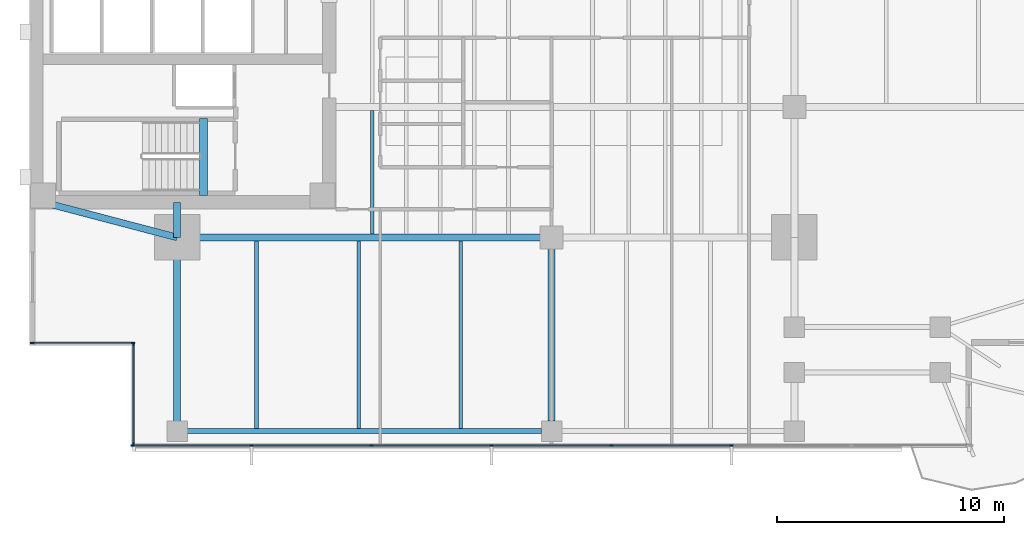
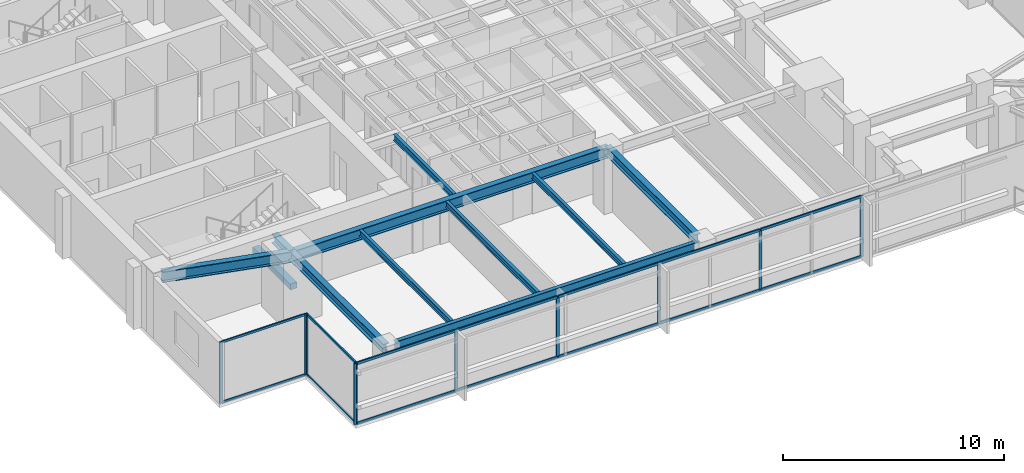
# One storey, part 2 of 14: 24 members, 11 beams, 3 elements without a shape of their own.
"""IFC4 building model written with IfcOpenShell, lengths in metres."""

from ifc_helpers import new_model, si_unit, direction, frame, origin, origin_2d, place, context, subcontext, project, spatial, rectangle, i_section, extrude, material, layer, layer_set, material_profile, profile_set, type_object, element, aggregate, save


model = new_model("IFC4")

# Units and contexts
model_context = context("Model", 3, precision=1e-05, world=origin(), true_north=direction((0.0, 1.0)))
body_context = subcontext(model_context, "Body", "Model", "MODEL_VIEW")
ifc_project = project(units=[si_unit("LENGTHUNIT", "METRE"), si_unit("AREAUNIT", "SQUARE_METRE"), si_unit("VOLUMEUNIT", "CUBIC_METRE"), si_unit("PLANEANGLEUNIT", "RADIAN"), si_unit("MASSUNIT", "GRAM", prefix="KILO")], contexts=[model_context])

# Site, building, storey
site_placement = place(None, origin())
site = spatial("IfcSite", under=ifc_project, at=site_placement, CompositionType="ELEMENT")
building_placement = place(site_placement, origin())
building = spatial("IfcBuilding", under=site, at=building_placement, Name="Kinhvarn Gate Tower", CompositionType="ELEMENT")
storey_placement = place(building_placement, frame((0.0, 0.0, 134.199951171875)))
storey = spatial("IfcBuildingStorey", under=building, at=storey_placement, Name="L35", CompositionType="ELEMENT", Elevation=134.199951171875)

# Beam
ifc_material_1 = material(Name="Concrete C50/60", Category="concrete")
ifc_material_profile_1 = material_profile(ifc_material_1, rectangle(XDim=0.340087890625, YDim=0.320068359375, at=origin_2d()), Name="RC 340x320")
ifc_profile_set_1 = profile_set([ifc_material_profile_1], Name="Concrete C50/60")
beam_type_1 = type_object("IfcBeamType", Name="BM-LND-500", PredefinedType="BEAM", material=ifc_profile_set_1)
beam_1_placement = place(storey_placement, frame((12.1650390625, 14.60009765625, -0.159912109375), z_axis=(0.0, 1.0, 0.0), x_axis=(-1.0, 0.0, 0.0)))
element("IfcBeam", 1, at=beam_1_placement, inside=storey, type_object=beam_type_1, Name="Stair ST1 Landing Nosing Beam (L35)", PredefinedType="BEAM", context=body_context, shape_type="SweptSolid", body=[
    extrude(rectangle(XDim=0.340087890625, YDim=0.320068359375, at=origin_2d()), origin(), (0.0, 0.0, 1.0), 3.39990234375),
])

# Curtain wall, members
ifc_material_2 = material(Name="Anodised aluminium AW-6063", Category="aluminium")
ifc_layer_1 = layer(ifc_material_2, 0.179931640625)
ifc_layer_set_1 = layer_set([ifc_layer_1], Name="Anodised aluminium AW-6063")
curtain_wall_type_1 = type_object("IfcCurtainWallType", Name="CW-SYS-3", PredefinedType="NOTDEFINED", material=ifc_layer_set_1)
curtain_wall_1_placement = place(storey_placement, origin())
curtain_wall_1 = element("IfcCurtainWall", 2, at=curtain_wall_1_placement, inside=storey, type_object=curtain_wall_type_1, Name="Curtain Wall CW3 (L35)", PredefinedType="NOTDEFINED")
ifc_material_profile_2 = material_profile(ifc_material_2, rectangle(XDim=0.06494140625, YDim=0.159912109375, at=origin_2d()), Name="ALU 65x160")
ifc_profile_set_2 = profile_set([ifc_material_profile_2], Name="Anodised aluminium AW-6063")
member_type_1 = type_object("IfcMemberType", Name="CW-MUL-160", PredefinedType="MULLION", material=ifc_profile_set_2)
member_1_placement = place(storey_placement, frame((9.032470703125, 3.590087890625, 0.0), z_axis=(0.0, 0.0, 1.0), x_axis=(0.0, 1.0, 0.0)))
member_1 = element("IfcMember", 3, at=member_1_placement, type_object=member_type_1, Name="CW3 mullion 1", PredefinedType="MULLION", context=body_context, shape_type="SweptSolid", body=[
    extrude(rectangle(XDim=0.06494140625, YDim=0.159912109375, at=origin_2d()), origin(), (0.0, 0.0, 1.0), 3.3701171875),
])
member_2_placement = place(storey_placement, frame((14.28564453125, 3.590087890625, 0.0), z_axis=(0.0, 0.0, 1.0), x_axis=(0.0, 1.0, 0.0)))
member_2 = element("IfcMember", 4, at=member_2_placement, type_object=member_type_1, Name="CW3 mullion 2", PredefinedType="MULLION", context=body_context, shape_type="SweptSolid", body=[
    extrude(rectangle(XDim=0.06494140625, YDim=0.159912109375, at=origin_2d()), origin(), (0.0, 0.0, 1.0), 3.3701171875),
])
member_3_placement = place(storey_placement, frame((19.571533203125, 3.590087890625, 0.0), z_axis=(0.0, 0.0, 1.0), x_axis=(0.0, 1.0, 0.0)))
member_3 = element("IfcMember", 5, at=member_3_placement, type_object=member_type_1, Name="CW3 mullion 3", PredefinedType="MULLION", context=body_context, shape_type="SweptSolid", body=[
    extrude(rectangle(XDim=0.06494140625, YDim=0.159912109375, at=origin_2d()), origin(), (0.0, 0.0, 1.0), 3.3701171875),
])
member_4_placement = place(storey_placement, frame((24.857177734375, 3.590087890625, 0.0), z_axis=(0.0, 0.0, 1.0), x_axis=(0.0, 1.0, 0.0)))
member_4 = element("IfcMember", 6, at=member_4_placement, type_object=member_type_1, Name="CW3 mullion 4", PredefinedType="MULLION", context=body_context, shape_type="SweptSolid", body=[
    extrude(rectangle(XDim=0.06494140625, YDim=0.159912109375, at=origin_2d()), origin(), (0.0, 0.0, 1.0), 3.3701171875),
])
member_5_placement = place(storey_placement, frame((30.142822265625, 3.590087890625, 0.0), z_axis=(0.0, 0.0, 1.0), x_axis=(0.0, 1.0, 0.0)))
member_5 = element("IfcMember", 7, at=member_5_placement, type_object=member_type_1, Name="CW3 mullion 5", PredefinedType="MULLION", context=body_context, shape_type="SweptSolid", body=[
    extrude(rectangle(XDim=0.06494140625, YDim=0.159912109375, at=origin_2d()), origin(), (0.0, 0.0, 1.0), 3.3701171875),
])
member_6_placement = place(storey_placement, frame((35.428466796875, 3.590087890625, 0.0), z_axis=(0.0, 0.0, 1.0), x_axis=(0.0, 1.0, 0.0)))
member_6 = element("IfcMember", 8, at=member_6_placement, type_object=member_type_1, Name="CW3 mullion 6", PredefinedType="MULLION", context=body_context, shape_type="SweptSolid", body=[
    extrude(rectangle(XDim=0.06494140625, YDim=0.159912109375, at=origin_2d()), origin(), (0.0, 0.0, 1.0), 3.3701171875),
])

ifc_layer_2 = layer(ifc_material_2, 0.179931640625)
ifc_layer_set_2 = layer_set([ifc_layer_2], Name="Anodised aluminium AW-6063")
curtain_wall_type_2 = type_object("IfcCurtainWallType", Name="CW-SYS-4", PredefinedType="NOTDEFINED", material=ifc_layer_set_2)
curtain_wall_2_placement = place(storey_placement, origin())
curtain_wall_2 = element("IfcCurtainWall", 9, at=curtain_wall_2_placement, inside=storey, type_object=curtain_wall_type_2, Name="Curtain Wall CW4 (L35)", PredefinedType="NOTDEFINED")
member_7_placement = place(storey_placement, frame((4.62255859375, 8.090087890625, 0.0), z_axis=(0.0, 0.0, 1.0), x_axis=(0.0, 1.0, 0.0)))
member_7 = element("IfcMember", 10, at=member_7_placement, type_object=member_type_1, Name="CW4 mullion 1", PredefinedType="MULLION", context=body_context, shape_type="SweptSolid", body=[
    extrude(rectangle(XDim=0.06494140625, YDim=0.159912109375, at=origin_2d()), origin(), (0.0, 0.0, 1.0), 3.3701171875),
])
member_8_placement = place(storey_placement, frame((9.0576171875, 8.090087890625, 0.0), z_axis=(0.0, 0.0, 1.0), x_axis=(0.0, 1.0, 0.0)))
member_8 = element("IfcMember", 11, at=member_8_placement, type_object=member_type_1, Name="CW4 mullion 2", PredefinedType="MULLION", context=body_context, shape_type="SweptSolid", body=[
    extrude(rectangle(XDim=0.06494140625, YDim=0.159912109375, at=origin_2d()), origin(), (0.0, 0.0, 1.0), 3.3701171875),
])

curtain_wall_3_placement = place(storey_placement, origin())
curtain_wall_3 = element("IfcCurtainWall", 12, at=curtain_wall_3_placement, inside=storey, type_object=curtain_wall_type_2, Name="Curtain Wall CW4 (L35)", PredefinedType="NOTDEFINED")
member_9_placement = place(storey_placement, frame((9.090087890625, 8.0576171875, 0.0), z_axis=(0.0, 0.0, 1.0), x_axis=(1.0, 0.0, 0.0)))
member_9 = element("IfcMember", 13, at=member_9_placement, type_object=member_type_1, Name="CW4 mullion 1", PredefinedType="MULLION", context=body_context, shape_type="SweptSolid", body=[
    extrude(rectangle(XDim=0.06494140625, YDim=0.159912109375, at=origin_2d()), origin(), (0.0, 0.0, 1.0), 3.3701171875),
])
member_10_placement = place(storey_placement, frame((9.090087890625, 3.62255859375, 0.0), z_axis=(0.0, 0.0, 1.0), x_axis=(1.0, 0.0, 0.0)))
member_10 = element("IfcMember", 14, at=member_10_placement, type_object=member_type_1, Name="CW4 mullion 2", PredefinedType="MULLION", context=body_context, shape_type="SweptSolid", body=[
    extrude(rectangle(XDim=0.06494140625, YDim=0.159912109375, at=origin_2d()), origin(), (0.0, 0.0, 1.0), 3.3701171875),
])

# Member
ifc_material_profile_3 = material_profile(ifc_material_2, rectangle(XDim=0.06494140625, YDim=0.1201171875, at=origin_2d()), Name="ALU 65x120")
ifc_profile_set_3 = profile_set([ifc_material_profile_3], Name="Anodised aluminium AW-6063")
member_type_2 = type_object("IfcMemberType", Name="CW-TRN-120", PredefinedType="USERDEFINED", material=ifc_profile_set_3)
member_11_placement = place(storey_placement, frame((4.655029296875, 8.090087890625, 0.032470703125), z_axis=(1.0, 0.0, 0.0), x_axis=(0.0, 1.0, 0.0)))
member_11 = element("IfcMember", 15, at=member_11_placement, type_object=member_type_2, Name="CW4 transom 1.1", ObjectType="TRANSOM", PredefinedType="USERDEFINED", context=body_context, shape_type="SweptSolid", body=[
    extrude(rectangle(XDim=0.06494140625, YDim=0.1201171875, at=origin_2d()), origin(), (0.0, 0.0, 1.0), 4.369873046875),
])

member_12_placement = place(storey_placement, frame((4.655029296875, 8.090087890625, 3.337646484375), z_axis=(1.0, 0.0, 0.0), x_axis=(0.0, 1.0, 0.0)))
member_12 = element("IfcMember", 16, at=member_12_placement, type_object=member_type_2, Name="CW4 transom 1.2", ObjectType="TRANSOM", PredefinedType="USERDEFINED", context=body_context, shape_type="SweptSolid", body=[
    extrude(rectangle(XDim=0.06494140625, YDim=0.1201171875, at=origin_2d()), origin(), (0.0, 0.0, 1.0), 4.369873046875),
])

aggregate(curtain_wall_2, [member_7, member_8, member_11, member_12])

member_13_placement = place(storey_placement, frame((9.090087890625, 8.02490234375, 0.032470703125), z_axis=(0.0, -1.0, 0.0), x_axis=(1.0, 0.0, 0.0)))
member_13 = element("IfcMember", 17, at=member_13_placement, type_object=member_type_2, Name="CW4 transom 1.1", ObjectType="TRANSOM", PredefinedType="USERDEFINED", context=body_context, shape_type="SweptSolid", body=[
    extrude(rectangle(XDim=0.06494140625, YDim=0.1201171875, at=origin_2d()), origin(), (0.0, 0.0, 1.0), 4.369873046875),
])

member_14_placement = place(storey_placement, frame((9.090087890625, 8.02490234375, 3.337646484375), z_axis=(0.0, -1.0, 0.0), x_axis=(1.0, 0.0, 0.0)))
member_14 = element("IfcMember", 18, at=member_14_placement, type_object=member_type_2, Name="CW4 transom 1.2", ObjectType="TRANSOM", PredefinedType="USERDEFINED", context=body_context, shape_type="SweptSolid", body=[
    extrude(rectangle(XDim=0.06494140625, YDim=0.1201171875, at=origin_2d()), origin(), (0.0, 0.0, 1.0), 4.369873046875),
])

aggregate(curtain_wall_3, [member_9, member_10, member_13, member_14])

ifc_material_profile_4 = material_profile(ifc_material_2, rectangle(XDim=0.070068359375, YDim=0.139892578125, at=origin_2d()), Name="ALU 70x140")
ifc_profile_set_4 = profile_set([ifc_material_profile_4], Name="Anodised aluminium AW-6063")
member_type_3 = type_object("IfcMemberType", Name="CW-TRN-140", PredefinedType="USERDEFINED", material=ifc_profile_set_4)
member_15_placement = place(storey_placement, frame((9.06494140625, 3.590087890625, 0.03515625), z_axis=(1.0, 0.0, 0.0), x_axis=(0.0, 1.0, 0.0)))
member_15 = element("IfcMember", 19, at=member_15_placement, type_object=member_type_3, Name="CW3 transom 1.1", ObjectType="TRANSOM", PredefinedType="USERDEFINED", context=body_context, shape_type="SweptSolid", body=[
    extrude(rectangle(XDim=0.070068359375, YDim=0.139892578125, at=origin_2d()), origin(), (0.0, 0.0, 1.0), 5.188232421875),
])

member_16_placement = place(storey_placement, frame((9.06494140625, 3.590087890625, 3.3349609375), z_axis=(1.0, 0.0, 0.0), x_axis=(0.0, 1.0, 0.0)))
member_16 = element("IfcMember", 20, at=member_16_placement, type_object=member_type_3, Name="CW3 transom 1.2", ObjectType="TRANSOM", PredefinedType="USERDEFINED", context=body_context, shape_type="SweptSolid", body=[
    extrude(rectangle(XDim=0.070068359375, YDim=0.139892578125, at=origin_2d()), origin(), (0.0, 0.0, 1.0), 5.188232421875),
])

member_17_placement = place(storey_placement, frame((14.318115234375, 3.590087890625, 0.03515625), z_axis=(1.0, 0.0, 0.0), x_axis=(0.0, 1.0, 0.0)))
member_17 = element("IfcMember", 21, at=member_17_placement, type_object=member_type_3, Name="CW3 transom 2.1", ObjectType="TRANSOM", PredefinedType="USERDEFINED", context=body_context, shape_type="SweptSolid", body=[
    extrude(rectangle(XDim=0.070068359375, YDim=0.139892578125, at=origin_2d()), origin(), (0.0, 0.0, 1.0), 5.220703125),
])

member_18_placement = place(storey_placement, frame((14.318115234375, 3.590087890625, 3.3349609375), z_axis=(1.0, 0.0, 0.0), x_axis=(0.0, 1.0, 0.0)))
member_18 = element("IfcMember", 22, at=member_18_placement, type_object=member_type_3, Name="CW3 transom 2.2", ObjectType="TRANSOM", PredefinedType="USERDEFINED", context=body_context, shape_type="SweptSolid", body=[
    extrude(rectangle(XDim=0.070068359375, YDim=0.139892578125, at=origin_2d()), origin(), (0.0, 0.0, 1.0), 5.220703125),
])

member_19_placement = place(storey_placement, frame((19.60400390625, 3.590087890625, 0.03515625), z_axis=(1.0, 0.0, 0.0), x_axis=(0.0, 1.0, 0.0)))
member_19 = element("IfcMember", 23, at=member_19_placement, type_object=member_type_3, Name="CW3 transom 3.1", ObjectType="TRANSOM", PredefinedType="USERDEFINED", context=body_context, shape_type="SweptSolid", body=[
    extrude(rectangle(XDim=0.070068359375, YDim=0.139892578125, at=origin_2d()), origin(), (0.0, 0.0, 1.0), 5.220703125),
])

member_20_placement = place(storey_placement, frame((19.60400390625, 3.590087890625, 3.3349609375), z_axis=(1.0, 0.0, 0.0), x_axis=(0.0, 1.0, 0.0)))
member_20 = element("IfcMember", 24, at=member_20_placement, type_object=member_type_3, Name="CW3 transom 3.2", ObjectType="TRANSOM", PredefinedType="USERDEFINED", context=body_context, shape_type="SweptSolid", body=[
    extrude(rectangle(XDim=0.070068359375, YDim=0.139892578125, at=origin_2d()), origin(), (0.0, 0.0, 1.0), 5.220703125),
])

member_21_placement = place(storey_placement, frame((24.8896484375, 3.590087890625, 0.03515625), z_axis=(1.0, 0.0, 0.0), x_axis=(0.0, 1.0, 0.0)))
member_21 = element("IfcMember", 25, at=member_21_placement, type_object=member_type_3, Name="CW3 transom 4.1", ObjectType="TRANSOM", PredefinedType="USERDEFINED", context=body_context, shape_type="SweptSolid", body=[
    extrude(rectangle(XDim=0.070068359375, YDim=0.139892578125, at=origin_2d()), origin(), (0.0, 0.0, 1.0), 5.220703125),
])

member_22_placement = place(storey_placement, frame((24.8896484375, 3.590087890625, 3.3349609375), z_axis=(1.0, 0.0, 0.0), x_axis=(0.0, 1.0, 0.0)))
member_22 = element("IfcMember", 26, at=member_22_placement, type_object=member_type_3, Name="CW3 transom 4.2", ObjectType="TRANSOM", PredefinedType="USERDEFINED", context=body_context, shape_type="SweptSolid", body=[
    extrude(rectangle(XDim=0.070068359375, YDim=0.139892578125, at=origin_2d()), origin(), (0.0, 0.0, 1.0), 5.220703125),
])

member_23_placement = place(storey_placement, frame((30.17529296875, 3.590087890625, 0.03515625), z_axis=(1.0, 0.0, 0.0), x_axis=(0.0, 1.0, 0.0)))
member_23 = element("IfcMember", 27, at=member_23_placement, type_object=member_type_3, Name="CW3 transom 5.1", ObjectType="TRANSOM", PredefinedType="USERDEFINED", context=body_context, shape_type="SweptSolid", body=[
    extrude(rectangle(XDim=0.070068359375, YDim=0.139892578125, at=origin_2d()), origin(), (0.0, 0.0, 1.0), 5.220703125),
])

member_24_placement = place(storey_placement, frame((30.17529296875, 3.590087890625, 3.3349609375), z_axis=(1.0, 0.0, 0.0), x_axis=(0.0, 1.0, 0.0)))
member_24 = element("IfcMember", 28, at=member_24_placement, type_object=member_type_3, Name="CW3 transom 5.2", ObjectType="TRANSOM", PredefinedType="USERDEFINED", context=body_context, shape_type="SweptSolid", body=[
    extrude(rectangle(XDim=0.070068359375, YDim=0.139892578125, at=origin_2d()), origin(), (0.0, 0.0, 1.0), 5.220703125),
])

aggregate(curtain_wall_1, [member_1, member_2, member_3, member_4, member_5, member_6, member_15, member_16, member_17, member_18, member_19, member_20, member_21, member_22, member_23, member_24])

# Beams
ifc_material_3 = material(Name="Steel S355", Category="steel")
ifc_material_profile_5 = material_profile(ifc_material_3, i_section(OverallWidth=0.300048828125, OverallDepth=0.5, WebThickness=0.014404296875, FlangeThickness=0.028076171875, at=origin_2d()), Name="HEB 500")
ifc_profile_set_5 = profile_set([ifc_material_profile_5], Name="Steel S355")
beam_type_2 = type_object("IfcBeamType", Name="STL-HEB500", PredefinedType="BEAM", material=ifc_profile_set_5)
beam_2_placement = place(storey_placement, frame((11.0, 4.219970703125, 3.1201171875), z_axis=(0.0, 1.0, 0.0), x_axis=(-1.0, 0.0, 0.0)))
element("IfcBeam", 29, at=beam_2_placement, inside=storey, type_object=beam_type_2, Name="Floor Beam PG-14 (L35 MCW-S)", PredefinedType="BEAM", context=body_context, shape_type="SweptSolid", body=[
    extrude(i_section(OverallWidth=0.300048828125, OverallDepth=0.5, WebThickness=0.014404296875, FlangeThickness=0.028076171875, at=origin_2d()), origin(), (0.0, 0.0, 1.0), 8.530029296875),
])
beam_3_placement = place(storey_placement, frame((11.0, 12.75, 3.1201171875), z_axis=(0.0, 1.0, 0.0), x_axis=(-1.0, 0.0, 0.0)))
element("IfcBeam", 30, at=beam_3_placement, inside=storey, type_object=beam_type_2, Name="Floor Beam PG-14 (L35 MCW-CS)", PredefinedType="BEAM", context=body_context, shape_type="SweptSolid", body=[
    extrude(i_section(OverallWidth=0.300048828125, OverallDepth=0.5, WebThickness=0.014404296875, FlangeThickness=0.028076171875, at=origin_2d()), origin(), (0.0, 0.0, 1.0), 1.550048828125),
])
beam_4_placement = place(storey_placement, frame((27.5, 4.655029296875, 3.1201171875), z_axis=(0.0, 1.0, 0.0), x_axis=(-1.0, 0.0, 0.0)))
element("IfcBeam", 31, at=beam_4_placement, inside=storey, type_object=beam_type_2, Name="Floor Beam PG-14 (L35 SP27-S-TIE)", PredefinedType="BEAM", context=body_context, shape_type="SweptSolid", body=[
    extrude(i_section(OverallWidth=0.300048828125, OverallDepth=0.5, WebThickness=0.014404296875, FlangeThickness=0.028076171875, at=origin_2d()), origin(), (0.0, 0.0, 1.0), 8.094970703125),
])
ifc_material_profile_6 = material_profile(ifc_material_3, i_section(OverallWidth=0.300048828125, OverallDepth=0.60009765625, WebThickness=0.015380859375, FlangeThickness=0.030029296875, at=origin_2d()), Name="HEB 600")
ifc_profile_set_6 = profile_set([ifc_material_profile_6], Name="Steel S355")
beam_type_3 = type_object("IfcBeamType", Name="STL-HEB600", PredefinedType="BEAM", material=ifc_profile_set_6)
beam_5_placement = place(storey_placement, frame((11.0, 12.75, 3.070068359375), z_axis=(1.0, 0.0, 0.0), x_axis=(0.0, 1.0, 0.0)))
element("IfcBeam", 32, at=beam_5_placement, inside=storey, type_object=beam_type_3, Name="Floor Beam PG-16 (L35 MG-S1)", PredefinedType="BEAM", context=body_context, shape_type="SweptSolid", body=[
    extrude(i_section(OverallWidth=0.300048828125, OverallDepth=0.60009765625, WebThickness=0.015380859375, FlangeThickness=0.030029296875, at=origin_2d()), origin(), (0.0, 0.0, 1.0), 16.5),
])
beam_6_placement = place(storey_placement, frame((5.10009765625, 14.300048828125, 3.070068359375), z_axis=(0.967177623957, -0.254101246979, 0.0), x_axis=(0.254101246979, 0.967177623957, 0.0)))
element("IfcBeam", 33, at=beam_6_placement, inside=storey, type_object=beam_type_3, Name="Floor Beam PG-16 (L35 MG-SW-DIAG)", PredefinedType="BEAM", context=body_context, shape_type="SweptSolid", body=[
    extrude(i_section(OverallWidth=0.300048828125, OverallDepth=0.60009765625, WebThickness=0.015380859375, FlangeThickness=0.030029296875, at=origin_2d()), origin(), (0.0, 0.0, 1.0), 6.10009765625),
])
ifc_material_profile_7 = material_profile(ifc_material_3, i_section(OverallWidth=0.159912109375, OverallDepth=0.330078125, WebThickness=0.007568359375, FlangeThickness=0.011474609375, at=origin_2d()), Name="IPE 330")
ifc_profile_set_7 = profile_set([ifc_material_profile_7], Name="Steel S355")
beam_type_4 = type_object("IfcBeamType", Name="STL-IPE330", PredefinedType="JOIST", material=ifc_profile_set_7)
beam_7_placement = place(storey_placement, frame((19.60009765625, 12.89990234375, 3.205078125), z_axis=(0.0, 1.0, 0.0), x_axis=(-1.0, 0.0, 0.0)))
element("IfcBeam", 34, at=beam_7_placement, inside=storey, type_object=beam_type_4, Name="Floor Joist SB-03 (L35 JC-X196-0)", PredefinedType="JOIST", context=body_context, shape_type="SweptSolid", body=[
    extrude(i_section(OverallWidth=0.159912109375, OverallDepth=0.330078125, WebThickness=0.007568359375, FlangeThickness=0.011474609375, at=origin_2d()), origin(), (0.0, 0.0, 1.0), 5.4501953125),
])
for number, where, z_axis, x_axis, name in (
    (35, (14.5, 4.324951171875, 3.205078125), (0.0, 1.0, 0.0), (-1.0, 0.0, 0.0), "Floor Joist SB-03 (L35 JS-X145)"),
    (36, (19.0, 4.324951171875, 3.205078125), (0.0, 1.0, 0.0), (-1.0, 0.0, 0.0), "Floor Joist SB-03 (L35 JS-X190)"),
    (37, (23.5, 4.324951171875, 3.205078125), (0.0, 1.0, 0.0), (-1.0, 0.0, 0.0), "Floor Joist SB-03 (L35 JS-X235)"),
):
    element("IfcBeam", number, at=place(storey_placement, frame(where, z_axis=z_axis, x_axis=x_axis)), inside=storey, type_object=beam_type_4, Name=name, PredefinedType="JOIST", context=body_context, shape_type="SweptSolid", body=[
        extrude(i_section(OverallWidth=0.159912109375, OverallDepth=0.330078125, WebThickness=0.007568359375, FlangeThickness=0.011474609375, at=origin_2d()), origin(), (0.0, 0.0, 1.0), 8.275146484375),
    ])
ifc_material_profile_8 = material_profile(ifc_material_3, i_section(OverallWidth=0.2099609375, OverallDepth=0.550048828125, WebThickness=0.010986328125, FlangeThickness=0.01708984375, at=origin_2d()), Name="IPE 550")
ifc_profile_set_8 = profile_set([ifc_material_profile_8], Name="Steel S355")
beam_type_5 = type_object("IfcBeamType", Name="STL-IPE550", PredefinedType="SPANDREL", material=ifc_profile_set_8)
beam_8_placement = place(storey_placement, frame((11.43505859375, 4.219970703125, 3.094970703125), z_axis=(1.0, 0.0, 0.0), x_axis=(0.0, 1.0, 0.0)))
element("IfcBeam", 38, at=beam_8_placement, inside=storey, type_object=beam_type_5, Name="Floor Spandrel SB-08 (L35 SP-S1)", PredefinedType="SPANDREL", context=body_context, shape_type="SweptSolid", body=[
    extrude(i_section(OverallWidth=0.2099609375, OverallDepth=0.550048828125, WebThickness=0.010986328125, FlangeThickness=0.01708984375, at=origin_2d()), origin(), (0.0, 0.0, 1.0), 15.6298828125),
])

save(model, "model.ifc")
